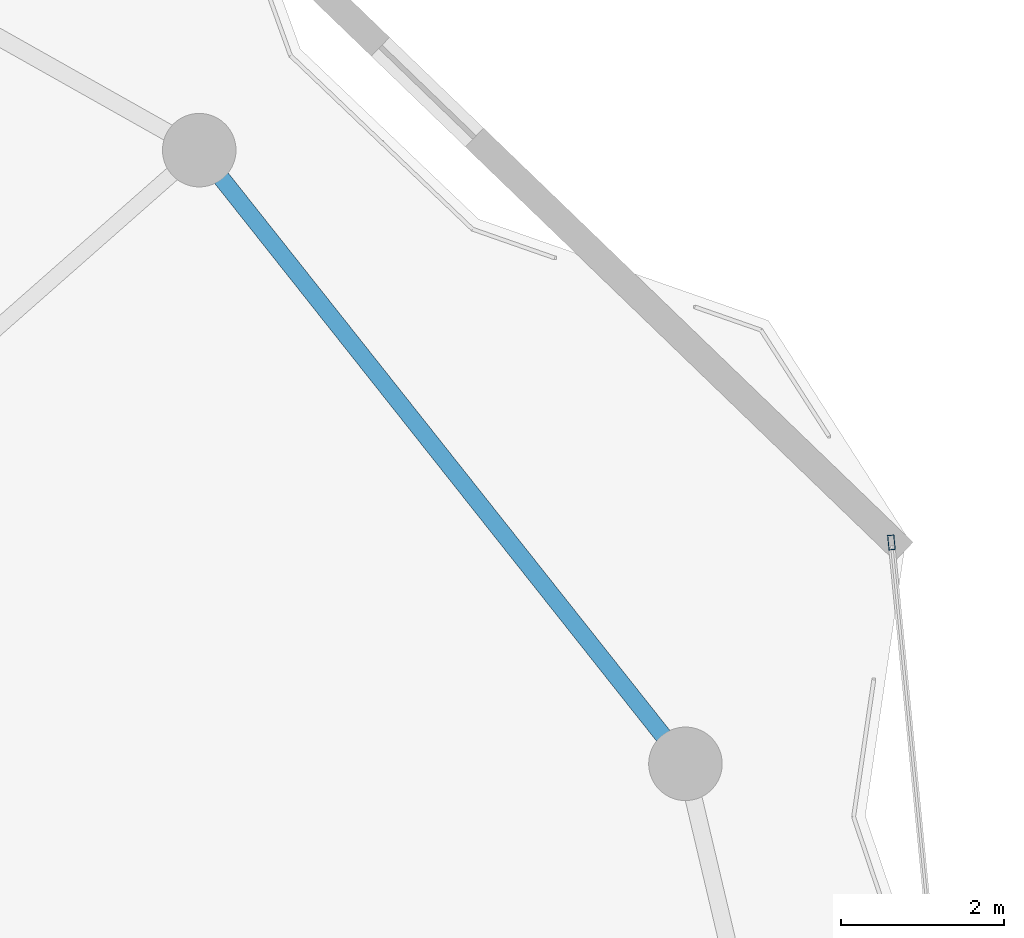
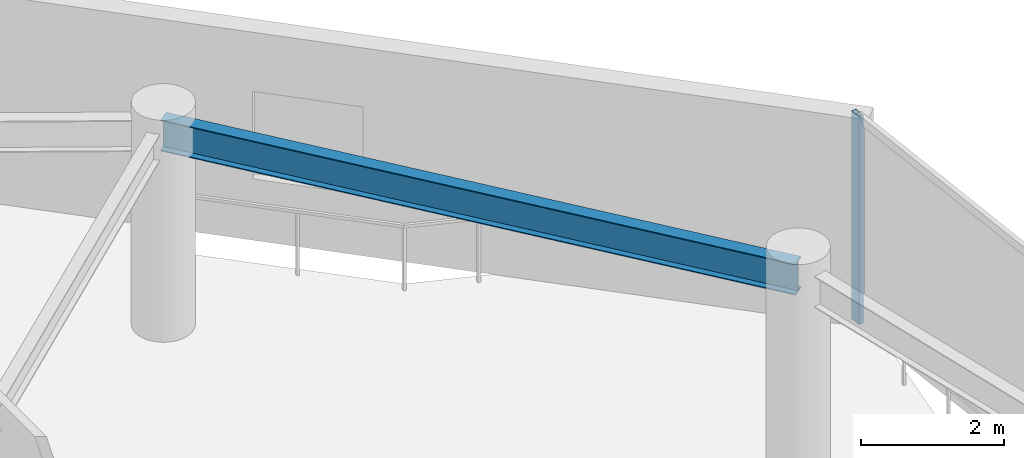
# One storey, part 22 of 29: 1 beam, 1 member, 1 element without a shape of its own.
"""IFC4 building model written with IfcOpenShell, lengths in metres."""

from ifc_helpers import new_model, si_unit, direction, frame, origin, origin_2d, place, context, subcontext, project, spatial, hollow_rectangle, i_section, extrude, material, layer, layer_set, material_profile, profile_set, type_object, element, aggregate, save


model = new_model("IFC4")

# Units and contexts
model_context = context("Model", 3, precision=1e-05, world=origin(), true_north=direction((0.0, 1.0)))
body_context = subcontext(model_context, "Body", "Model", "MODEL_VIEW")
ifc_project = project(units=[si_unit("LENGTHUNIT", "METRE"), si_unit("AREAUNIT", "SQUARE_METRE"), si_unit("VOLUMEUNIT", "CUBIC_METRE"), si_unit("PLANEANGLEUNIT", "RADIAN"), si_unit("MASSUNIT", "GRAM", prefix="KILO")], contexts=[model_context])

# Site, building, storey
site_placement = place(None, origin())
site = spatial("IfcSite", under=ifc_project, at=site_placement, CompositionType="ELEMENT")
building_placement = place(site_placement, origin())
building = spatial("IfcBuilding", under=site, at=building_placement, Name="Kazevale Care Tower and Concert Hall", CompositionType="ELEMENT")
storey_placement = place(building_placement, frame((0.0, 0.0, 262.39990234375)))
storey = spatial("IfcBuildingStorey", under=building, at=storey_placement, Name="L69", CompositionType="ELEMENT", Elevation=262.39990234375)

# Curtain wall, member
ifc_material_1 = material(Name="Aluminium 6063-T6 and Low-E Glass", Category="aluminium")
ifc_layer = layer(ifc_material_1, 0.179931640625)
ifc_layer_set = layer_set([ifc_layer], Name="Aluminium 6063-T6 and Low-E Glass")
curtain_wall_type = type_object("IfcCurtainWallType", Name="Waist & Upper Residential Curtain Wall CW-4", PredefinedType="NOTDEFINED", material=ifc_layer_set)
curtain_wall_placement = place(storey_placement, origin())
curtain_wall = element("IfcCurtainWall", 1, at=curtain_wall_placement, inside=storey, type_object=curtain_wall_type, Name="cw:L69:f18", PredefinedType="NOTDEFINED")
ifc_material_2 = material(Name="Aluminium 6063-T6", Category="aluminium")
ifc_material_profile_1 = material_profile(ifc_material_2, hollow_rectangle(XDim=0.080078125, YDim=0.179931640625, WallThickness=0.0048828125, at=origin_2d()), Name="ALU80x180x5")
ifc_profile_set_1 = profile_set([ifc_material_profile_1], Name="Aluminium 6063-T6")
member_type = type_object("IfcMemberType", Name="CW-4 Mullion ALU80x180x5", PredefinedType="MULLION", material=ifc_profile_set_1)
member_placement = place(storey_placement, frame((72.880859375, 49.569091796875, 0.0), z_axis=(0.0, 0.0, 1.0), x_axis=(0.995187959773, 0.097984308555, 0.0)))
member = element("IfcMember", 2, at=member_placement, type_object=member_type, Name="CW-4 mullion 1", PredefinedType="MULLION", context=body_context, shape_type="SweptSolid", body=[
    extrude(hollow_rectangle(XDim=0.080078125, YDim=0.179931640625, WallThickness=0.0048828125, at=origin_2d()), origin(), (0.0, 0.0, 1.0), 3.56005859375),
])
aggregate(curtain_wall, [member])

# Beam
ifc_material_3 = material(Name="Steel ASTM A572 Gr 50", Category="steel")
ifc_material_profile_2 = material_profile(ifc_material_3, i_section(OverallWidth=0.208984375, OverallDepth=0.532958984375, WebThickness=0.01025390625, FlangeThickness=0.015625, at=origin_2d()), Name="W530x92")
ifc_profile_set_2 = profile_set([ifc_material_profile_2], Name="Steel ASTM A572 Gr 50")
beam_type = type_object("IfcBeamType", Name="Upper Ring Beam W530x92", PredefinedType="BEAM", material=ifc_profile_set_2)
beam_placement = place(storey_placement, frame((70.360107421875, 46.860107421875, 3.293701171875), z_axis=(-0.621008988522, 0.783803442308, 0.0), x_axis=(-0.783803442308, -0.621008988522, 0.0)))
element("IfcBeam", 3, at=beam_placement, inside=storey, type_object=beam_type, Name="beam:L69:ring:02", PredefinedType="BEAM", context=body_context, shape_type="SweptSolid", body=[
    extrude(i_section(OverallWidth=0.208984375, OverallDepth=0.532958984375, WebThickness=0.01025390625, FlangeThickness=0.015625, at=origin_2d()), origin(), (0.0, 0.0, 1.0), 9.58154296875),
])

save(model, "model.ifc")
